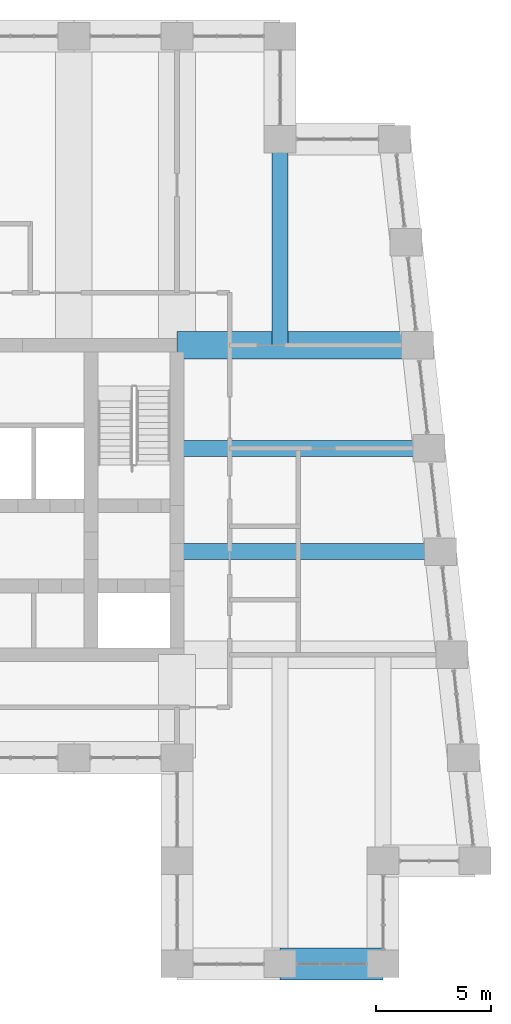
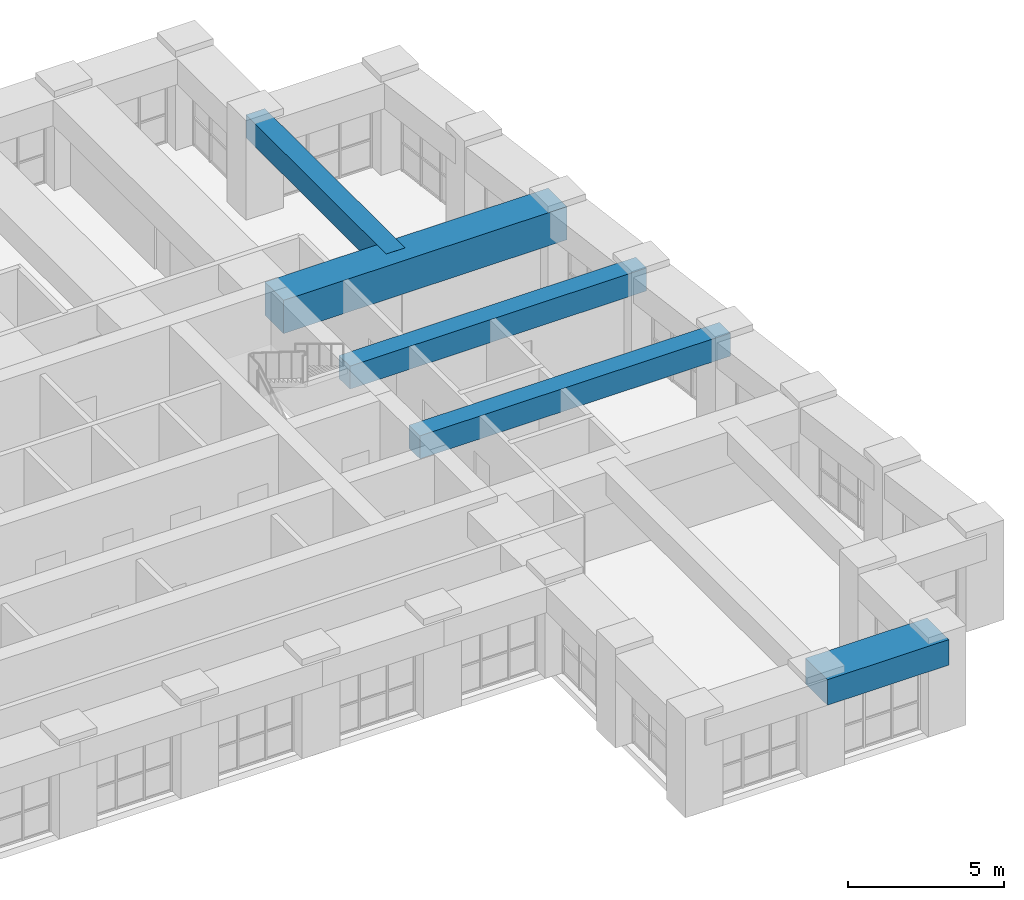
# One storey, part 5 of 18: 5 beams.
"""IFC4 building model written with IfcOpenShell, lengths in metres."""

from ifc_helpers import new_model, si_unit, direction, frame, origin, origin_2d, place, context, subcontext, project, spatial, rectangle, extrude, material, material_profile, profile_set, type_object, element, save


model = new_model("IFC4")

# Units and contexts
model_context = context("Model", 3, precision=1e-05, world=origin(), true_north=direction((0.0, 1.0)))
body_context = subcontext(model_context, "Body", "Model", "MODEL_VIEW")
ifc_project = project(units=[si_unit("LENGTHUNIT", "METRE"), si_unit("AREAUNIT", "SQUARE_METRE"), si_unit("VOLUMEUNIT", "CUBIC_METRE"), si_unit("PLANEANGLEUNIT", "RADIAN"), si_unit("MASSUNIT", "GRAM", prefix="KILO")], contexts=[model_context])

# Site, building, storey
site_placement = place(None, origin())
site = spatial("IfcSite", under=ifc_project, at=site_placement, CompositionType="ELEMENT")
building_placement = place(site_placement, origin())
building = spatial("IfcBuilding", under=site, at=building_placement, Name="Kilele Tower Hotel", CompositionType="ELEMENT")
storey_placement = place(building_placement, frame((0.0, 0.0, 281.89990234375)))
storey = spatial("IfcBuildingStorey", under=building, at=storey_placement, Name="L72", CompositionType="ELEMENT", Elevation=281.89990234375)

# Beams
ifc_material_1 = material(Name="Concrete C60/75", Category="concrete")
ifc_material_profile_1 = material_profile(ifc_material_1, rectangle(XDim=0.699951171875, YDim=0.89990234375, at=origin_2d()))
ifc_profile_set_1 = profile_set([ifc_material_profile_1], Name="Concrete C60/75")
beam_type_1 = type_object("IfcBeamType", Name="Beam RC 700x900 C60/75 mid span", PredefinedType="BEAM", material=ifc_profile_set_1)
beam_1_placement = place(storey_placement, frame((47.5, 18.0, 3.2001953125), z_axis=(-1.0, 0.0, 0.0), x_axis=(0.0, -1.0, 0.0)))
element("IfcBeam", 1, at=beam_1_placement, inside=storey, type_object=beam_type_1, Name="Beam B2 level L73", PredefinedType="BEAM", context=body_context, shape_type="SweptSolid", body=[
    extrude(rectangle(XDim=0.699951171875, YDim=0.89990234375, at=origin_2d()), origin(), (0.0, 0.0, 1.0), 11.5),
])
beam_2_placement = place(storey_placement, frame((47.0, 22.5, 3.2001953125), z_axis=(-1.0, 0.0, 0.0), x_axis=(0.0, -1.0, 0.0)))
element("IfcBeam", 2, at=beam_2_placement, inside=storey, type_object=beam_type_1, Name="Beam B2 level L73", PredefinedType="BEAM", context=body_context, shape_type="SweptSolid", body=[
    extrude(rectangle(XDim=0.699951171875, YDim=0.89990234375, at=origin_2d()), origin(), (0.0, 0.0, 1.0), 11.0),
])
beam_3_placement = place(storey_placement, frame((40.5, 36.0, 3.2001953125), z_axis=(0.0, -1.0, 0.0), x_axis=(1.0, 0.0, 0.0)))
element("IfcBeam", 3, at=beam_3_placement, inside=storey, type_object=beam_type_1, Name="Beam B2 level L73", PredefinedType="BEAM", context=body_context, shape_type="SweptSolid", body=[
    extrude(rectangle(XDim=0.699951171875, YDim=0.89990234375, at=origin_2d()), origin(), (0.0, 0.0, 1.0), 9.0),
])
ifc_material_2 = material(Name="Concrete C60/75", Category="concrete")
ifc_material_profile_2 = material_profile(ifc_material_2, rectangle(XDim=1.199951171875, YDim=1.300048828125, at=origin_2d()))
ifc_profile_set_2 = profile_set([ifc_material_profile_2], Name="Concrete C60/75")
beam_type_2 = type_object("IfcBeamType", Name="Girder RC 1200x1300 C60/75 mid span", PredefinedType="BEAM", material=ifc_profile_set_2)
beam_4_placement = place(storey_placement, frame((46.5, 27.0, 3.0), z_axis=(-1.0, 0.0, 0.0), x_axis=(0.0, -1.0, 0.0)))
element("IfcBeam", 4, at=beam_4_placement, inside=storey, type_object=beam_type_2, Name="Girder G3 level L73", PredefinedType="BEAM", context=body_context, shape_type="SweptSolid", body=[
    extrude(rectangle(XDim=1.199951171875, YDim=1.300048828125, at=origin_2d()), origin(), (0.0, 0.0, 1.0), 10.5),
])
ifc_material_3 = material(Name="Concrete C60/75", Category="concrete")
ifc_material_profile_3 = material_profile(ifc_material_3, rectangle(XDim=1.39990234375, YDim=1.0, at=origin_2d()))
ifc_profile_set_3 = profile_set([ifc_material_profile_3], Name="Concrete C60/75")
beam_type_3 = type_object("IfcBeamType", Name="Spandrel RC 1400x1000 C60/75", PredefinedType="SPANDREL", material=ifc_profile_set_3)
beam_5_placement = place(storey_placement, frame((40.5, 0.0, 3.150146484375), z_axis=(1.0, 0.0, 0.0), x_axis=(0.0, 1.0, 0.0)))
element("IfcBeam", 5, at=beam_5_placement, inside=storey, type_object=beam_type_3, Name="Spandrel SP1 level L73", PredefinedType="SPANDREL", context=body_context, shape_type="SweptSolid", body=[
    extrude(rectangle(XDim=1.39990234375, YDim=1.0, at=origin_2d()), origin(), (0.0, 0.0, 1.0), 4.5),
])

save(model, "model.ifc")
